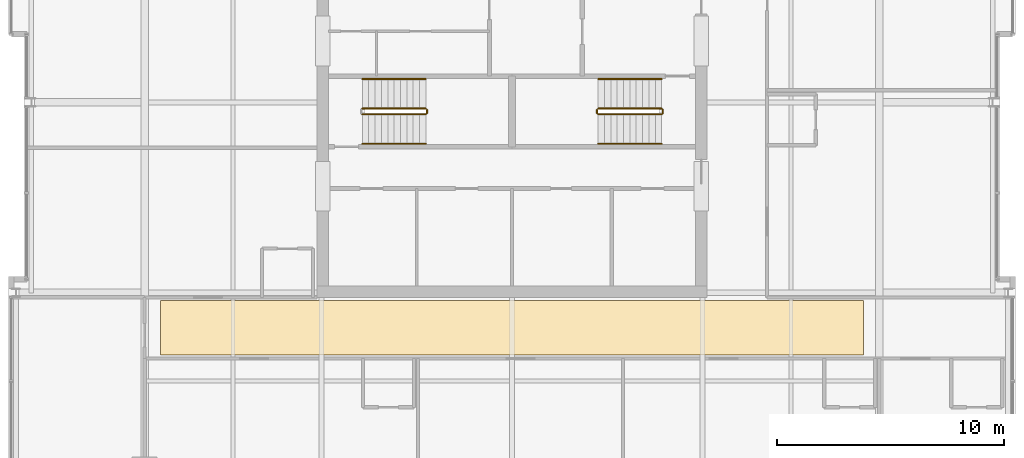
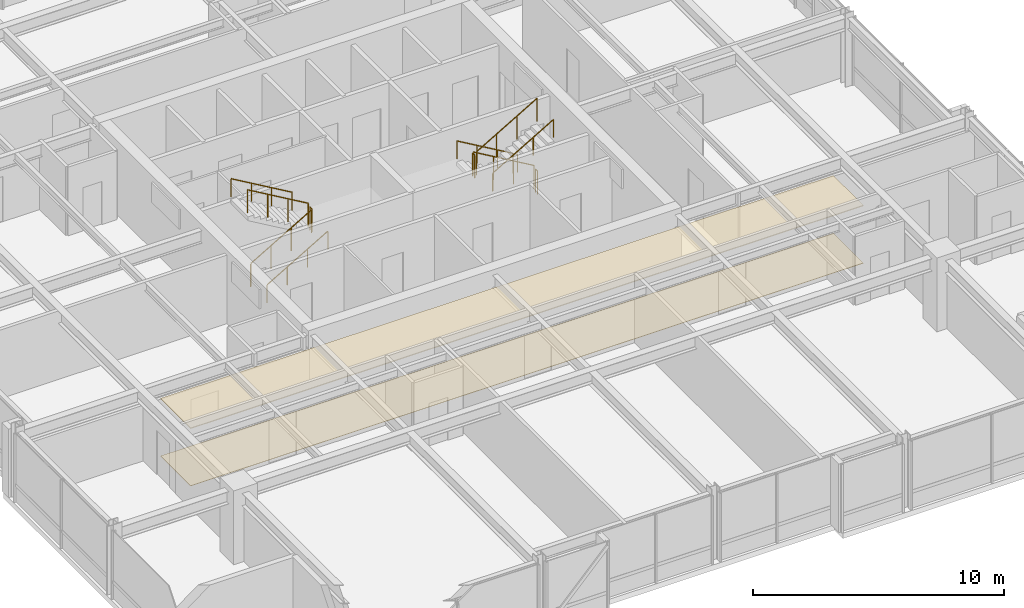
# One storey, part 31 of 32: 11 railings, 2 coverings.
"""IFC4 building model written with IfcOpenShell, lengths in metres."""

from ifc_helpers import new_model, si_unit, direction, frame, origin, origin_2d, place, context, subcontext, project, spatial, polyline, circle, outline, extrude, material, layer, layer_set, type_object, element, save


model = new_model("IFC4")

# Units and contexts
model_context = context("Model", 3, precision=1e-05, world=origin(), true_north=direction((0.0, 1.0)))
body_context = subcontext(model_context, "Body", "Model", "MODEL_VIEW")
ifc_project = project(units=[si_unit("LENGTHUNIT", "METRE"), si_unit("AREAUNIT", "SQUARE_METRE"), si_unit("VOLUMEUNIT", "CUBIC_METRE"), si_unit("PLANEANGLEUNIT", "RADIAN"), si_unit("MASSUNIT", "GRAM", prefix="KILO")], contexts=[model_context])

# Site, building, storey
site_placement = place(None, origin())
site = spatial("IfcSite", under=ifc_project, at=site_placement, CompositionType="ELEMENT")
building_placement = place(site_placement, origin())
building = spatial("IfcBuilding", under=site, at=building_placement, Name="Drelvath Grand Hotel", CompositionType="ELEMENT")
storey_placement = place(building_placement, frame((0.0, 0.0, 223.10009765625)))
storey = spatial("IfcBuildingStorey", under=building, at=storey_placement, Name="L58", CompositionType="ELEMENT", Elevation=223.10009765625)

# Railings
ifc_material_1 = material(Name="Painted Steel S275", Category="steel")
railing_type_1 = type_object("IfcRailingType", Name="Core Stair Wall Handrail 900", PredefinedType="HANDRAIL", material=ifc_material_1)
railing_1_placement = place(storey_placement, frame((-6.60009765625, 25.169921875, 0.16357421875)))
element("IfcRailing", 1, at=railing_1_placement, inside=storey, type_object=railing_type_1, Name="L58 ST-1 stair handrail 1", PredefinedType="HANDRAIL", context=body_context, shape_type="SweptSolid", body=[
    extrude(circle(Radius=0.02392578125, at=origin_2d()), frame((0.0, 0.0, 0.8759765625), z_axis=(0.863393664356, 0.0, 0.504530851732), x_axis=(0.0, 1.0, 0.0)), (0.0, 0.0, 1.0), 3.2431640625),
    extrude(circle(Radius=0.02099609375, at=origin_2d()), origin(), (0.0, 0.0, 1.0), 0.851806640625),
    extrude(circle(Radius=0.02099609375, at=origin_2d()), frame((0.933349609375, 0.0, 0.54541015625)), (0.0, 0.0, 1.0), 0.851806640625),
    extrude(circle(Radius=0.02099609375, at=origin_2d()), frame((1.86669921875, 0.0, 1.0908203125)), (0.0, 0.0, 1.0), 0.851806640625),
    extrude(circle(Radius=0.02099609375, at=origin_2d()), frame((2.800048828125, 0.0, 1.63623046875)), (0.0, 0.0, 1.0), 0.851806640625),
])
for number, where, name in (
    (2, (-3.800048828125, 28.030029296875, 1.963623046875), "L58 ST-1 stair handrail 2"),
    (3, (6.60009765625, 28.030029296875, 0.16357421875), "L58 ST-2 stair handrail 1"),
):
    element("IfcRailing", number, at=place(storey_placement, frame(where)), inside=storey, type_object=railing_type_1, Name=name, PredefinedType="HANDRAIL", context=body_context, shape_type="SweptSolid", body=[
        extrude(circle(Radius=0.02392578125, at=origin_2d()), frame((0.0, 0.0, 0.8759765625), z_axis=(-0.863393664356, 0.0, 0.504530851732), x_axis=(0.0, -1.0, 0.0)), (0.0, 0.0, 1.0), 3.2431640625),
        extrude(circle(Radius=0.02099609375, at=origin_2d()), origin(), (0.0, 0.0, 1.0), 0.851806640625),
        extrude(circle(Radius=0.02099609375, at=origin_2d()), frame((-0.933349609375, 0.0, 0.54541015625)), (0.0, 0.0, 1.0), 0.851806640625),
        extrude(circle(Radius=0.02099609375, at=origin_2d()), frame((-1.86669921875, 0.0, 1.0908203125)), (0.0, 0.0, 1.0), 0.851806640625),
        extrude(circle(Radius=0.02099609375, at=origin_2d()), frame((-2.800048828125, 0.0, 1.63623046875)), (0.0, 0.0, 1.0), 0.851806640625),
    ])
railing_2_placement = place(storey_placement, frame((3.800048828125, 25.169921875, 1.963623046875)))
element("IfcRailing", 4, at=railing_2_placement, inside=storey, type_object=railing_type_1, Name="L58 ST-2 stair handrail 2", PredefinedType="HANDRAIL", context=body_context, shape_type="SweptSolid", body=[
    extrude(circle(Radius=0.02392578125, at=origin_2d()), frame((0.0, 0.0, 0.8759765625), z_axis=(0.863393664356, 0.0, 0.504530851732), x_axis=(0.0, 1.0, 0.0)), (0.0, 0.0, 1.0), 3.2431640625),
    extrude(circle(Radius=0.02099609375, at=origin_2d()), origin(), (0.0, 0.0, 1.0), 0.851806640625),
    extrude(circle(Radius=0.02099609375, at=origin_2d()), frame((0.933349609375, 0.0, 0.54541015625)), (0.0, 0.0, 1.0), 0.851806640625),
    extrude(circle(Radius=0.02099609375, at=origin_2d()), frame((1.86669921875, 0.0, 1.0908203125)), (0.0, 0.0, 1.0), 0.851806640625),
    extrude(circle(Radius=0.02099609375, at=origin_2d()), frame((2.800048828125, 0.0, 1.63623046875)), (0.0, 0.0, 1.0), 0.851806640625),
])
railing_type_2 = type_object("IfcRailingType", Name="Core Stair Well Guardrail 1100", PredefinedType="GUARDRAIL", material=ifc_material_1)
railing_3_placement = place(storey_placement, frame((-6.60009765625, 26.469970703125, 0.16357421875)))
element("IfcRailing", 5, at=railing_3_placement, inside=storey, type_object=railing_type_2, Name="L58 ST-1 stair guard 1", PredefinedType="GUARDRAIL", context=body_context, shape_type="SweptSolid", body=[
    extrude(circle(Radius=0.02392578125, at=origin_2d()), frame((0.0, 0.0, 1.1259765625), z_axis=(0.863393664356, 0.0, 0.504530851732), x_axis=(0.0, 1.0, 0.0)), (0.0, 0.0, 1.0), 3.2431640625),
    extrude(circle(Radius=0.02099609375, at=origin_2d()), origin(), (0.0, 0.0, 1.0), 1.101806640625),
    extrude(circle(Radius=0.02099609375, at=origin_2d()), frame((0.933349609375, 0.0, 0.54541015625)), (0.0, 0.0, 1.0), 1.101806640625),
    extrude(circle(Radius=0.02099609375, at=origin_2d()), frame((1.86669921875, 0.0, 1.0908203125)), (0.0, 0.0, 1.0), 1.101806640625),
    extrude(circle(Radius=0.02099609375, at=origin_2d()), frame((2.800048828125, 0.0, 1.63623046875)), (0.0, 0.0, 1.0), 1.101806640625),
])
railing_4_placement = place(storey_placement, frame((-3.75, 26.52001953125, 1.7998046875)))
element("IfcRailing", 6, at=railing_4_placement, inside=storey, type_object=railing_type_2, Name="L58 ST-1 stair guard 2", PredefinedType="GUARDRAIL", context=body_context, shape_type="SweptSolid", body=[
    extrude(circle(Radius=0.02392578125, at=origin_2d()), frame((0.0, 0.0, 1.1259765625), z_axis=(0.0, 1.0, 0.0), x_axis=(-1.0, 0.0, 0.0)), (0.0, 0.0, 1.0), 0.159912109375),
    extrude(circle(Radius=0.02099609375, at=origin_2d()), origin(), (0.0, 0.0, 1.0), 1.101806640625),
    extrude(circle(Radius=0.02099609375, at=origin_2d()), frame((0.0, 0.159912109375, 0.0)), (0.0, 0.0, 1.0), 1.101806640625),
])
for number, where, name in (
    (7, (-3.800048828125, 26.72998046875, 1.963623046875), "L58 ST-1 stair guard 3"),
    (8, (6.60009765625, 26.72998046875, 0.16357421875), "L58 ST-2 stair guard 1"),
):
    element("IfcRailing", number, at=place(storey_placement, frame(where)), inside=storey, type_object=railing_type_2, Name=name, PredefinedType="GUARDRAIL", context=body_context, shape_type="SweptSolid", body=[
        extrude(circle(Radius=0.02392578125, at=origin_2d()), frame((0.0, 0.0, 1.1259765625), z_axis=(-0.863393664356, 0.0, 0.504530851732), x_axis=(0.0, -1.0, 0.0)), (0.0, 0.0, 1.0), 3.2431640625),
        extrude(circle(Radius=0.02099609375, at=origin_2d()), origin(), (0.0, 0.0, 1.0), 1.101806640625),
        extrude(circle(Radius=0.02099609375, at=origin_2d()), frame((-0.933349609375, 0.0, 0.54541015625)), (0.0, 0.0, 1.0), 1.101806640625),
        extrude(circle(Radius=0.02099609375, at=origin_2d()), frame((-1.86669921875, 0.0, 1.0908203125)), (0.0, 0.0, 1.0), 1.101806640625),
        extrude(circle(Radius=0.02099609375, at=origin_2d()), frame((-2.800048828125, 0.0, 1.63623046875)), (0.0, 0.0, 1.0), 1.101806640625),
    ])
railing_5_placement = place(storey_placement, frame((3.75, 26.679931640625, 1.7998046875)))
element("IfcRailing", 9, at=railing_5_placement, inside=storey, type_object=railing_type_2, Name="L58 ST-2 stair guard 2", PredefinedType="GUARDRAIL", context=body_context, shape_type="SweptSolid", body=[
    extrude(circle(Radius=0.02392578125, at=origin_2d()), frame((0.0, 0.0, 1.1259765625), z_axis=(0.0, -1.0, 0.0), x_axis=(1.0, 0.0, 0.0)), (0.0, 0.0, 1.0), 0.159912109375),
    extrude(circle(Radius=0.02099609375, at=origin_2d()), origin(), (0.0, 0.0, 1.0), 1.101806640625),
    extrude(circle(Radius=0.02099609375, at=origin_2d()), frame((0.0, -0.159912109375, 0.0)), (0.0, 0.0, 1.0), 1.101806640625),
])
railing_6_placement = place(storey_placement, frame((3.800048828125, 26.469970703125, 1.963623046875)))
element("IfcRailing", 10, at=railing_6_placement, inside=storey, type_object=railing_type_2, Name="L58 ST-2 stair guard 3", PredefinedType="GUARDRAIL", context=body_context, shape_type="SweptSolid", body=[
    extrude(circle(Radius=0.02392578125, at=origin_2d()), frame((0.0, 0.0, 1.1259765625), z_axis=(0.863393664356, 0.0, 0.504530851732), x_axis=(0.0, 1.0, 0.0)), (0.0, 0.0, 1.0), 3.2431640625),
    extrude(circle(Radius=0.02099609375, at=origin_2d()), origin(), (0.0, 0.0, 1.0), 1.101806640625),
    extrude(circle(Radius=0.02099609375, at=origin_2d()), frame((0.933349609375, 0.0, 0.54541015625)), (0.0, 0.0, 1.0), 1.101806640625),
    extrude(circle(Radius=0.02099609375, at=origin_2d()), frame((1.86669921875, 0.0, 1.0908203125)), (0.0, 0.0, 1.0), 1.101806640625),
    extrude(circle(Radius=0.02099609375, at=origin_2d()), frame((2.800048828125, 0.0, 1.63623046875)), (0.0, 0.0, 1.0), 1.101806640625),
])
railing_7_placement = place(storey_placement, frame((6.64990234375, 26.679931640625, 0.0)))
element("IfcRailing", 11, at=railing_7_placement, inside=storey, type_object=railing_type_2, Name="L58 ST-2 stair guard 4", PredefinedType="GUARDRAIL", context=body_context, shape_type="SweptSolid", body=[
    extrude(circle(Radius=0.02392578125, at=origin_2d()), frame((0.0, 0.0, 1.1259765625), z_axis=(0.0, -1.0, 0.0), x_axis=(1.0, 0.0, 0.0)), (0.0, 0.0, 1.0), 0.159912109375),
    extrude(circle(Radius=0.02099609375, at=origin_2d()), origin(), (0.0, 0.0, 1.0), 1.101806640625),
    extrude(circle(Radius=0.02099609375, at=origin_2d()), frame((0.0, -0.159912109375, 0.0)), (0.0, 0.0, 1.0), 1.101806640625),
])

# Coverings
ifc_material_2 = material(Name="Woven Wool Broadloom Carpet")
ifc_layer_1 = layer(ifc_material_2, 0.01806640625)
ifc_layer_set_1 = layer_set([ifc_layer_1], Name="Woven Wool Broadloom Carpet")
covering_type_1 = type_object("IfcCoveringType", Name="Hospitality Broadloom Carpet 18", PredefinedType="FLOORING", material=ifc_layer_set_1)
covering_1_placement = place(storey_placement, origin())
element("IfcCovering", 12, at=covering_1_placement, inside=storey, type_object=covering_type_1, Name="L58 Upper Gallery Carpet", PredefinedType="FLOORING", context=body_context, shape_type="SweptSolid", body=[
    extrude(outline(polyline([(15.5, 15.85009765625), (15.5, 18.25), (-15.5, 18.25), (-15.5, 15.85009765625), (15.5, 15.85009765625)])), origin(), (0.0, 0.0, 1.0), 0.017822265625),
])
ifc_material_3 = material(Name="Anodised Aluminium Alloy", Category="aluminium")
ifc_layer_2 = layer(ifc_material_3, 0.0400390625)
ifc_layer_set_2 = layer_set([ifc_layer_2], Name="Anodised Aluminium Alloy")
covering_type_2 = type_object("IfcCoveringType", Name="Perforated Metal Corridor Ceiling 40", PredefinedType="CEILING", material=ifc_layer_set_2)
covering_2_placement = place(storey_placement, frame((0.0, 0.0, 2.789794921875)))
element("IfcCovering", 13, at=covering_2_placement, inside=storey, type_object=covering_type_2, Name="L58 Upper Gallery Ceiling", PredefinedType="CEILING", context=body_context, shape_type="SweptSolid", body=[
    extrude(outline(polyline([(15.5, 15.85009765625), (15.5, 18.25), (-15.5, 18.25), (-15.5, 15.85009765625), (15.5, 15.85009765625)])), origin(), (0.0, 0.0, 1.0), 0.0400390625),
])

save(model, "model.ifc")
